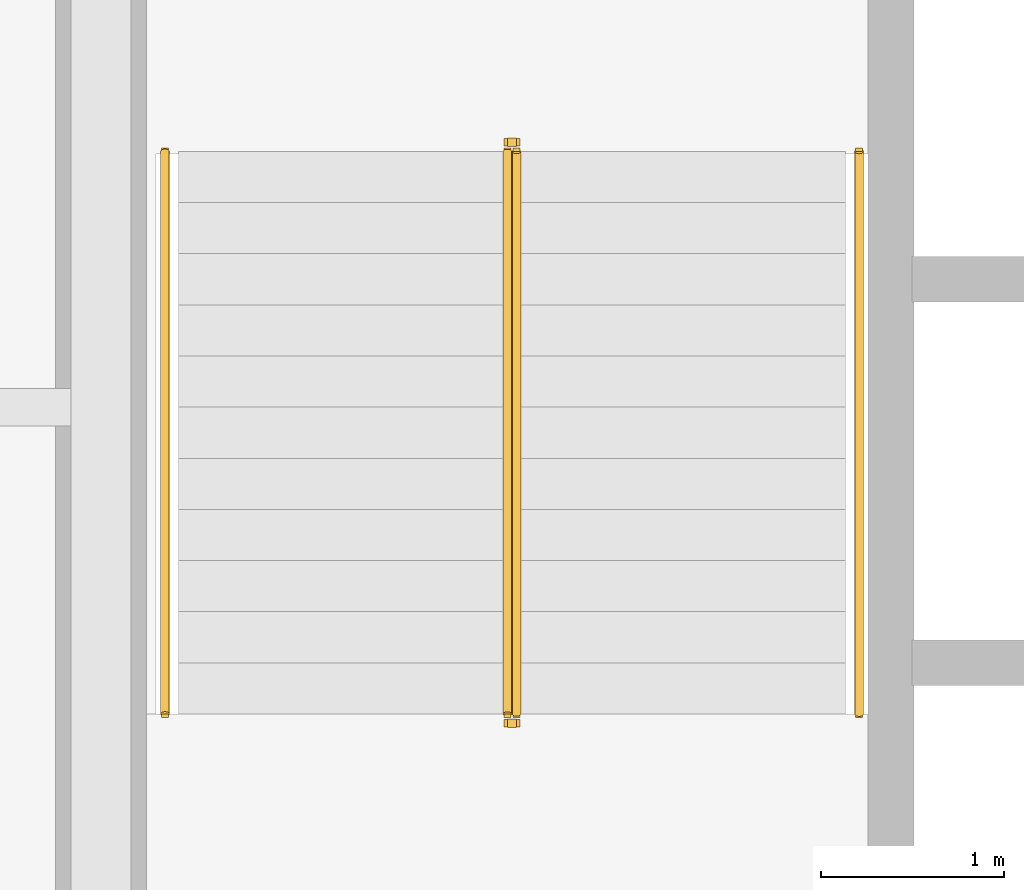
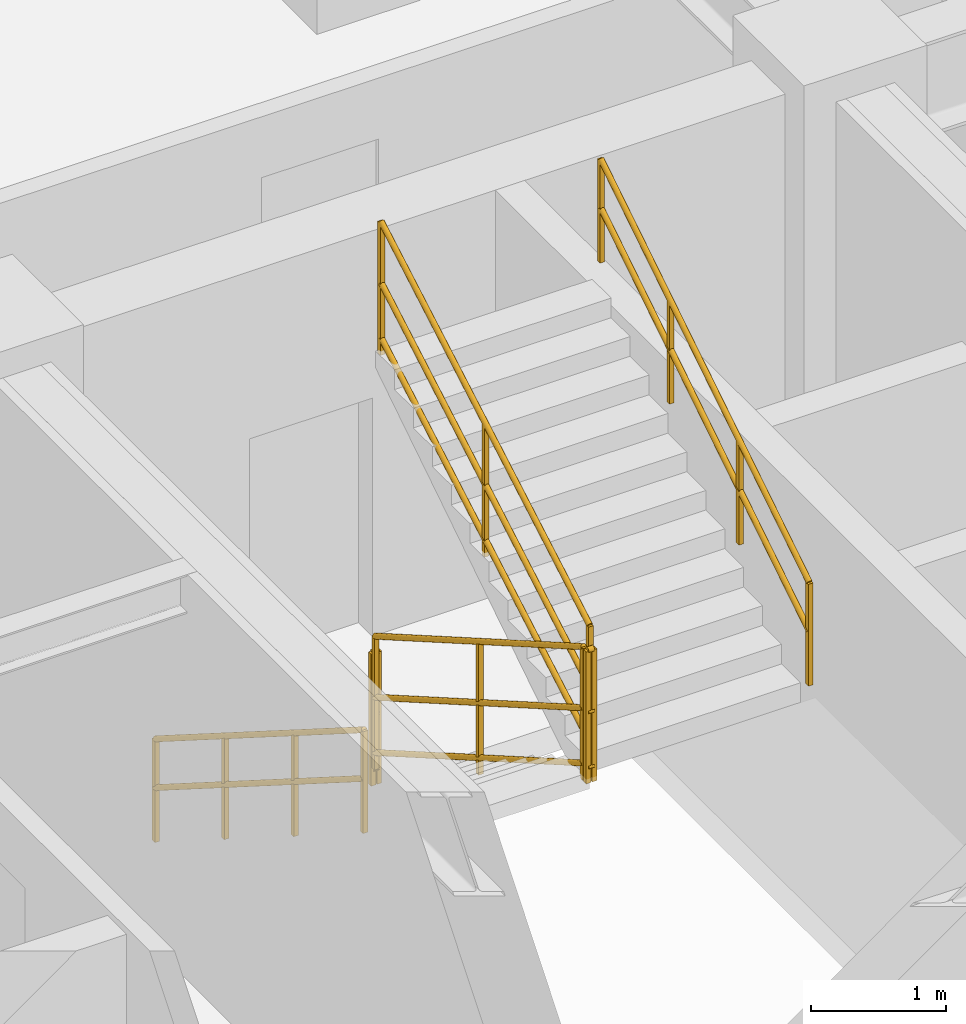
# One storey, part 10 of 10: 6 railings.
"""IFC4 building model written with IfcOpenShell, lengths in metres."""

from ifc_helpers import new_model, entity, si_unit, converted_unit, direction, frame, origin_with_axes, origin_2d_with_axis, place, context, subcontext, project, spatial, rectangle, circle, extrude, material, type_object, element, save


model = new_model("IFC4")

# Units and contexts
model_context = context("Model", 3, precision=1e-05, world=origin_with_axes(), true_north=direction((0.0, 1.0)))
body_context = subcontext(model_context, "Body", "Model", "MODEL_VIEW")
ifc_project = project(units=[si_unit("LENGTHUNIT", "METRE"), si_unit("AREAUNIT", "SQUARE_METRE"), si_unit("VOLUMEUNIT", "CUBIC_METRE"), converted_unit("PLANEANGLEUNIT", "DEGREE", entity("IfcPlaneAngleMeasure", 0.017453292519943295), si_unit("PLANEANGLEUNIT", "RADIAN"), dimensions=[0, 0, 0, 0, 0, 0, 0]), si_unit("MASSUNIT", "GRAM", prefix="KILO"), si_unit("THERMODYNAMICTEMPERATUREUNIT", "KELVIN")], contexts=[model_context])

# Site, building, storey
site_placement = place(None, origin_with_axes())
site = spatial("IfcSite", under=ifc_project, at=site_placement, CompositionType="ELEMENT")
building_placement = place(site_placement, origin_with_axes())
building = spatial("IfcBuilding", under=site, at=building_placement, Name="Varnlund Millrace Tower", CompositionType="ELEMENT")
storey_placement = place(building_placement, frame((0.0, 0.0, 168.0), z_axis=(0.0, 0.0, 1.0), x_axis=(1.0, 0.0, 0.0)))
storey = spatial("IfcBuildingStorey", under=building, at=storey_placement, Name="L41", CompositionType="ELEMENT", Elevation=168.0)

# Railings
ifc_material_1 = material(Name="Painted steel stair well balustrade guard", Category="steel")
railing_type_1 = type_object("IfcRailingType", Name="Type-StairGuard-1150", PredefinedType="GUARDRAIL", material=ifc_material_1)
railing_1_placement = place(storey_placement, frame((0.0, 0.0, -168.0), z_axis=(0.0, 0.0, 1.0), x_axis=(1.0, 0.0, 0.0)))
element("IfcRailing", 1, at=railing_1_placement, inside=storey, type_object=railing_type_1, Name="Type-StairGuard-1150", PredefinedType="GUARDRAIL", context=body_context, shape_type="SweptSolid", body=[
    extrude(circle(Radius=0.024, at=origin_2d_with_axis()), frame((13.625, 35.9, 169.327273), z_axis=(0.0, -0.866696, 0.498836), x_axis=(1.0, 0.0, 0.0)), (0.0, 0.0, 1.0), 3.553725),
    extrude(circle(Radius=0.024, at=origin_2d_with_axis()), frame((13.625, 35.9, 168.277273), z_axis=(0.0, -0.866696, 0.498836), x_axis=(1.0, 0.0, 0.0)), (0.0, 0.0, 1.0), 3.553725),
    extrude(circle(Radius=0.024, at=origin_2d_with_axis()), frame((13.625, 35.9, 168.775273), z_axis=(0.0, -0.866696, 0.498836), x_axis=(1.0, 0.0, 0.0)), (0.0, 0.0, 1.0), 3.553725),
    extrude(rectangle(XDim=0.04, YDim=0.04, at=origin_2d_with_axis()), frame((13.625, 35.9, 168.137273), z_axis=(0.0, 0.0, 1.0), x_axis=(1.0, 0.0, 0.0)), (0.0, 0.0, 1.0), 1.19),
    extrude(rectangle(XDim=0.04, YDim=0.04, at=origin_2d_with_axis()), frame((13.625, 34.36, 169.023637), z_axis=(0.0, 0.0, 1.0), x_axis=(1.0, 0.0, 0.0)), (0.0, 0.0, 1.0), 1.19),
    extrude(rectangle(XDim=0.04, YDim=0.04, at=origin_2d_with_axis()), frame((13.625, 32.82, 169.91), z_axis=(0.0, 0.0, 1.0), x_axis=(1.0, 0.0, 0.0)), (0.0, 0.0, 1.0), 1.19),
])
railing_2_placement = place(storey_placement, frame((0.0, 0.0, -168.0), z_axis=(0.0, 0.0, 1.0), x_axis=(1.0, 0.0, 0.0)))
element("IfcRailing", 2, at=railing_2_placement, inside=storey, type_object=railing_type_1, Name="Type-StairGuard-1150", PredefinedType="GUARDRAIL", context=body_context, shape_type="SweptSolid", body=[
    extrude(circle(Radius=0.024, at=origin_2d_with_axis()), frame((13.675, 32.77, 171.1), z_axis=(-1.0, 0.0, 0.0), x_axis=(0.0, -1.0, 0.0)), (0.0, 0.0, 1.0), 0.05),
    extrude(circle(Radius=0.024, at=origin_2d_with_axis()), frame((13.675, 32.77, 170.05), z_axis=(-1.0, 0.0, 0.0), x_axis=(0.0, -1.0, 0.0)), (0.0, 0.0, 1.0), 0.05),
    extrude(circle(Radius=0.024, at=origin_2d_with_axis()), frame((13.675, 32.77, 170.548), z_axis=(-1.0, 0.0, 0.0), x_axis=(0.0, -1.0, 0.0)), (0.0, 0.0, 1.0), 0.05),
    extrude(rectangle(XDim=0.04, YDim=0.04, at=origin_2d_with_axis()), frame((13.675, 32.77, 169.91), z_axis=(0.0, 0.0, 1.0), x_axis=(1.0, 0.0, 0.0)), (0.0, 0.0, 1.0), 1.19),
    extrude(rectangle(XDim=0.04, YDim=0.04, at=origin_2d_with_axis()), frame((13.625, 32.77, 169.91), z_axis=(0.0, 0.0, 1.0), x_axis=(1.0, 0.0, 0.0)), (0.0, 0.0, 1.0), 1.19),
])
railing_3_placement = place(storey_placement, frame((0.0, 0.0, -168.0), z_axis=(0.0, 0.0, 1.0), x_axis=(1.0, 0.0, 0.0)))
element("IfcRailing", 3, at=railing_3_placement, inside=storey, type_object=railing_type_1, Name="Type-StairGuard-1150", PredefinedType="GUARDRAIL", context=body_context, shape_type="SweptSolid", body=[
    extrude(circle(Radius=0.024, at=origin_2d_with_axis()), frame((13.675, 32.82, 171.277273), z_axis=(0.0, 0.866696, 0.498836), x_axis=(-1.0, 0.0, 0.0)), (0.0, 0.0, 1.0), 3.553725),
    extrude(circle(Radius=0.024, at=origin_2d_with_axis()), frame((13.675, 32.82, 170.227273), z_axis=(0.0, 0.866696, 0.498836), x_axis=(-1.0, 0.0, 0.0)), (0.0, 0.0, 1.0), 3.553725),
    extrude(circle(Radius=0.024, at=origin_2d_with_axis()), frame((13.675, 32.82, 170.725273), z_axis=(0.0, 0.866696, 0.498836), x_axis=(-1.0, 0.0, 0.0)), (0.0, 0.0, 1.0), 3.553725),
    extrude(rectangle(XDim=0.04, YDim=0.04, at=origin_2d_with_axis()), frame((13.675, 32.82, 170.087273), z_axis=(0.0, 0.0, 1.0), x_axis=(1.0, 0.0, 0.0)), (0.0, 0.0, 1.0), 1.19),
    extrude(rectangle(XDim=0.04, YDim=0.04, at=origin_2d_with_axis()), frame((13.675, 34.36, 170.973637), z_axis=(0.0, 0.0, 1.0), x_axis=(1.0, 0.0, 0.0)), (0.0, 0.0, 1.0), 1.19),
    extrude(rectangle(XDim=0.04, YDim=0.04, at=origin_2d_with_axis()), frame((13.675, 35.9, 171.86), z_axis=(0.0, 0.0, 1.0), x_axis=(1.0, 0.0, 0.0)), (0.0, 0.0, 1.0), 1.19),
])
railing_4_placement = place(storey_placement, frame((0.0, 0.0, -168.0), z_axis=(0.0, 0.0, 1.0), x_axis=(1.0, 0.0, 0.0)))
element("IfcRailing", 4, at=railing_4_placement, inside=storey, type_object=railing_type_1, Name="Type-StairGuard-1150", PredefinedType="GUARDRAIL", context=body_context, shape_type="SweptSolid", body=[
    extrude(circle(Radius=0.024, at=origin_2d_with_axis()), frame((13.675, 35.95, 169.15), z_axis=(-1.0, 0.0, 0.0), x_axis=(0.0, -1.0, 0.0)), (0.0, 0.0, 1.0), 0.05),
    extrude(circle(Radius=0.024, at=origin_2d_with_axis()), frame((13.675, 35.95, 168.1), z_axis=(-1.0, 0.0, 0.0), x_axis=(0.0, -1.0, 0.0)), (0.0, 0.0, 1.0), 0.05),
    extrude(circle(Radius=0.024, at=origin_2d_with_axis()), frame((13.675, 35.95, 168.598), z_axis=(-1.0, 0.0, 0.0), x_axis=(0.0, -1.0, 0.0)), (0.0, 0.0, 1.0), 0.05),
    extrude(rectangle(XDim=0.04, YDim=0.04, at=origin_2d_with_axis()), frame((13.675, 35.95, 167.96), z_axis=(0.0, 0.0, 1.0), x_axis=(1.0, 0.0, 0.0)), (0.0, 0.0, 1.0), 1.19),
    extrude(rectangle(XDim=0.04, YDim=0.04, at=origin_2d_with_axis()), frame((13.625, 35.95, 167.96), z_axis=(0.0, 0.0, 1.0), x_axis=(1.0, 0.0, 0.0)), (0.0, 0.0, 1.0), 1.19),
])
ifc_material_2 = material(Name="Brushed architectural bronze stair handrail", Category="aluminium")
railing_type_2 = type_object("IfcRailingType", Name="Type-StairHandrail-900", PredefinedType="HANDRAIL", material=ifc_material_2)
railing_5_placement = place(storey_placement, frame((0.0, 0.0, -168.0), z_axis=(0.0, 0.0, 1.0), x_axis=(1.0, 0.0, 0.0)))
element("IfcRailing", 5, at=railing_5_placement, inside=storey, type_object=railing_type_2, Name="Type-StairHandrail-900", PredefinedType="HANDRAIL", context=body_context, shape_type="SweptSolid", body=[
    extrude(circle(Radius=0.024, at=origin_2d_with_axis()), frame((11.75, 35.9, 169.056995), z_axis=(0.0, -0.844902, 0.534922), x_axis=(1.0, 0.0, 0.0)), (0.0, 0.0, 1.0), 3.645394),
    extrude(circle(Radius=0.024, at=origin_2d_with_axis()), frame((11.75, 35.9, 168.617134), z_axis=(0.0, -0.844902, 0.534922), x_axis=(1.0, 0.0, 0.0)), (0.0, 0.0, 1.0), 3.645394),
    extrude(rectangle(XDim=0.04, YDim=0.04, at=origin_2d_with_axis()), frame((11.75, 35.9, 168.137273), z_axis=(0.0, 0.0, 1.0), x_axis=(1.0, 0.0, 0.0)), (0.0, 0.0, 1.0), 0.919722),
    extrude(rectangle(XDim=0.04, YDim=0.04, at=origin_2d_with_axis()), frame((11.75, 34.873333, 168.787273), z_axis=(0.0, 0.0, 1.0), x_axis=(1.0, 0.0, 0.0)), (0.0, 0.0, 1.0), 0.919722),
    extrude(rectangle(XDim=0.04, YDim=0.04, at=origin_2d_with_axis()), frame((11.75, 33.846667, 169.437273), z_axis=(0.0, 0.0, 1.0), x_axis=(1.0, 0.0, 0.0)), (0.0, 0.0, 1.0), 0.919722),
    extrude(rectangle(XDim=0.04, YDim=0.04, at=origin_2d_with_axis()), frame((11.75, 32.82, 170.087273), z_axis=(0.0, 0.0, 1.0), x_axis=(1.0, 0.0, 0.0)), (0.0, 0.0, 1.0), 0.919722),
])
railing_6_placement = place(storey_placement, frame((0.0, 0.0, -168.0), z_axis=(0.0, 0.0, 1.0), x_axis=(1.0, 0.0, 0.0)))
element("IfcRailing", 6, at=railing_6_placement, inside=storey, type_object=railing_type_2, Name="Type-StairHandrail-900", PredefinedType="HANDRAIL", context=body_context, shape_type="SweptSolid", body=[
    extrude(circle(Radius=0.024, at=origin_2d_with_axis()), frame((15.55, 32.82, 171.006995), z_axis=(0.0, 0.844902, 0.534922), x_axis=(-1.0, 0.0, 0.0)), (0.0, 0.0, 1.0), 3.645394),
    extrude(circle(Radius=0.024, at=origin_2d_with_axis()), frame((15.55, 32.82, 170.567134), z_axis=(0.0, 0.844902, 0.534922), x_axis=(-1.0, 0.0, 0.0)), (0.0, 0.0, 1.0), 3.645394),
    extrude(rectangle(XDim=0.04, YDim=0.04, at=origin_2d_with_axis()), frame((15.55, 32.82, 170.087273), z_axis=(0.0, 0.0, 1.0), x_axis=(1.0, 0.0, 0.0)), (0.0, 0.0, 1.0), 0.919722),
    extrude(rectangle(XDim=0.04, YDim=0.04, at=origin_2d_with_axis()), frame((15.55, 33.846667, 170.737273), z_axis=(0.0, 0.0, 1.0), x_axis=(1.0, 0.0, 0.0)), (0.0, 0.0, 1.0), 0.919722),
    extrude(rectangle(XDim=0.04, YDim=0.04, at=origin_2d_with_axis()), frame((15.55, 34.873333, 171.387273), z_axis=(0.0, 0.0, 1.0), x_axis=(1.0, 0.0, 0.0)), (0.0, 0.0, 1.0), 0.919722),
    extrude(rectangle(XDim=0.04, YDim=0.04, at=origin_2d_with_axis()), frame((15.55, 35.9, 172.037273), z_axis=(0.0, 0.0, 1.0), x_axis=(1.0, 0.0, 0.0)), (0.0, 0.0, 1.0), 0.919722),
])

save(model, "model.ifc")
